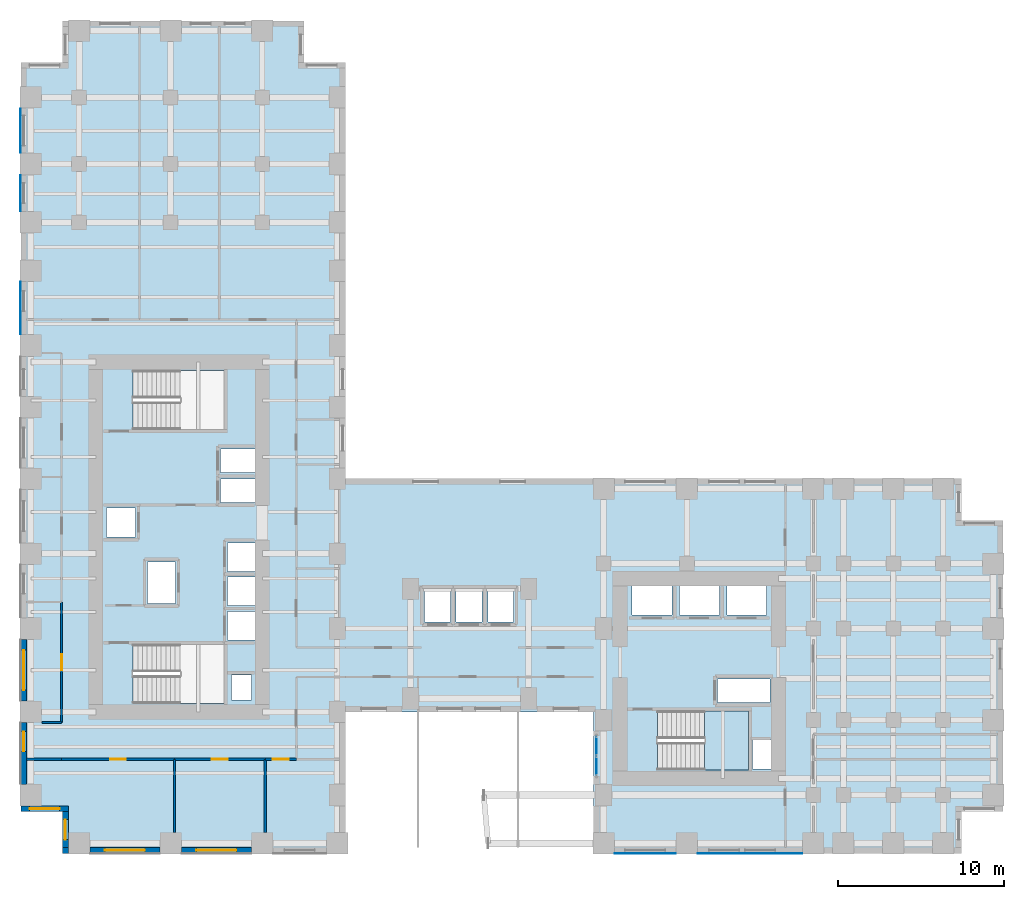
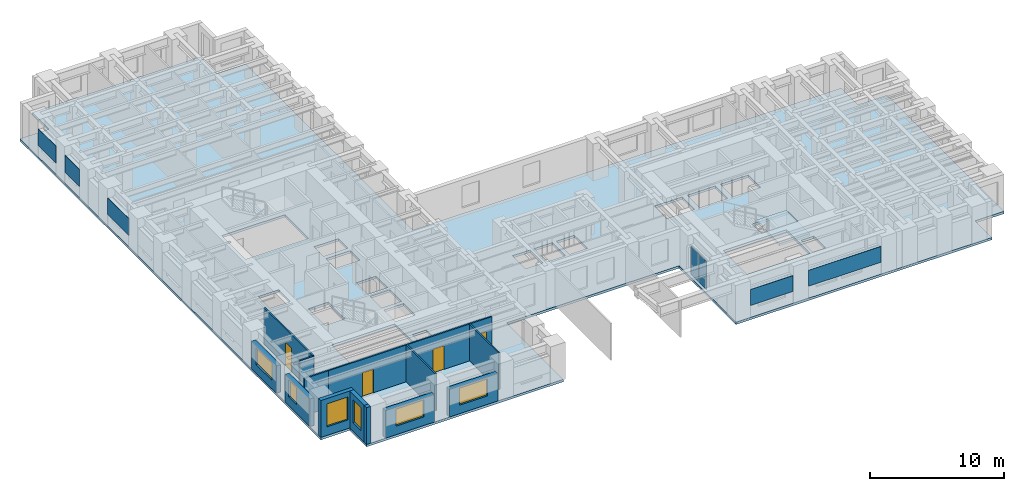
# One storey, part 6 of 14: 15 walls, 7 plates, 6 windows, 4 doors, 2 slabs, 10 openings, 2 elements without a shape of their own.
"""IFC4 building model written with IfcOpenShell, lengths in metres."""

from ifc_helpers import new_model, si_unit, direction, frame, frame_2d, origin, origin_2d, place, context, subcontext, project, spatial, polyline, rectangle, outline, extrude, source, transform, mapped, material, layer, layer_set, type_object, element, fill, aggregate, save


model = new_model("IFC4")

# Units and contexts
model_context = context("Model", 3, precision=1e-05, world=origin(), true_north=direction((0.0, 1.0)))
body_context = subcontext(model_context, "Body", "Model", "MODEL_VIEW")
ifc_project = project(units=[si_unit("LENGTHUNIT", "METRE"), si_unit("AREAUNIT", "SQUARE_METRE"), si_unit("VOLUMEUNIT", "CUBIC_METRE"), si_unit("PLANEANGLEUNIT", "RADIAN"), si_unit("MASSUNIT", "GRAM", prefix="KILO")], contexts=[model_context])

# Site, building, storey
site_placement = place(None, origin())
site = spatial("IfcSite", under=ifc_project, at=site_placement, CompositionType="ELEMENT")
building_placement = place(site_placement, origin())
building = spatial("IfcBuilding", under=site, at=building_placement, Name="Kharzan Plaza Tower", CompositionType="ELEMENT")
storey_placement = place(building_placement, frame((0.0, 0.0, 58.5)))
storey = spatial("IfcBuildingStorey", under=building, at=storey_placement, Name="L15", CompositionType="ELEMENT", Elevation=58.5)

# Slab
ifc_material_1 = material(Name="Concrete C40/50", Category="concrete")
ifc_layer_1 = layer(ifc_material_1, 0.219970703125)
ifc_layer_set_1 = layer_set([ifc_layer_1], Name="Concrete C40/50")
slab_type_1 = type_object("IfcSlabType", Name="SL-FLOOR-220", PredefinedType="FLOOR", material=ifc_layer_set_1)
slab_1_placement = place(storey_placement, frame((0.0, 0.0, -0.219970703125)))
element("IfcSlab", 1, at=slab_1_placement, inside=storey, type_object=slab_type_1, Name="L15 Composite Structural Floor Slab 220 mm", PredefinedType="FLOOR", context=body_context, shape_type="SweptSolid", body=[
    extrude(outline(polyline([(34.39990234375, 22.5), (19.5, 22.5), (19.5, 47.5), (17.0, 47.5), (17.0, 50.0), (2.5, 50.0), (2.5, 47.5), (0.0, 47.5), (0.0, 2.5), (2.5, 2.5), (2.5, 0.0), (19.5, 0.0), (19.5, 8.5), (34.39990234375, 8.5), (34.39990234375, 0.0), (56.5, 0.0), (56.5, 2.5), (59.0, 2.5), (59.0, 20.0), (56.5, 20.0), (56.5, 22.5), (34.39990234375, 22.5)]), holes=[polyline([(13.85009765625, 9.199951171875), (13.85009765625, 10.699951171875), (12.64990234375, 10.699951171875), (12.64990234375, 9.199951171875), (13.85009765625, 9.199951171875)]), polyline([(12.199951171875, 9.0), (12.199951171875, 12.550048828125), (6.75, 12.550048828125), (6.75, 9.0), (12.199951171875, 9.0)]), polyline([(14.10009765625, 12.800048828125), (14.10009765625, 14.530029296875), (12.39990234375, 14.530029296875), (12.39990234375, 12.800048828125), (14.10009765625, 12.800048828125)]), polyline([(14.10009765625, 14.8701171875), (14.10009765625, 16.60009765625), (12.39990234375, 16.60009765625), (12.39990234375, 14.8701171875), (14.10009765625, 14.8701171875)]), polyline([(9.300048828125, 15.0), (9.300048828125, 17.5), (7.60009765625, 17.5), (7.60009765625, 15.0), (9.300048828125, 15.0)]), polyline([(14.10009765625, 16.93994140625), (14.10009765625, 18.64990234375), (12.39990234375, 18.64990234375), (12.39990234375, 16.93994140625), (14.10009765625, 16.93994140625)]), polyline([(6.89990234375, 19.010009765625), (6.89990234375, 20.72998046875), (5.14990234375, 20.72998046875), (5.14990234375, 19.010009765625), (6.89990234375, 19.010009765625)]), polyline([(12.0, 21.070068359375), (14.10009765625, 21.070068359375), (14.10009765625, 22.489990234375), (12.0, 22.489990234375), (12.0, 21.070068359375)]), polyline([(12.0, 22.8701171875), (14.10009765625, 22.8701171875), (14.10009765625, 24.2900390625), (12.0, 24.2900390625), (12.0, 22.8701171875)]), polyline([(12.199951171875, 25.449951171875), (12.199951171875, 29.0), (6.75, 29.0), (6.75, 25.449951171875), (12.199951171875, 25.449951171875)]), polyline([(45.050048828125, 5.050048828125), (45.050048828125, 6.800048828125), (43.949951171875, 6.800048828125), (43.949951171875, 5.050048828125), (45.050048828125, 5.050048828125)]), polyline([(43.699951171875, 5.0), (43.699951171875, 8.550048828125), (38.25, 8.550048828125), (38.25, 5.0), (43.699951171875, 5.0)]), polyline([(41.85009765625, 9.070068359375), (45.0, 9.070068359375), (45.0, 10.469970703125), (41.85009765625, 10.469970703125), (41.85009765625, 9.070068359375)]), polyline([(24.25, 13.89990234375), (25.800048828125, 13.89990234375), (25.800048828125, 15.85009765625), (24.25, 15.85009765625), (24.25, 13.89990234375)]), polyline([(27.699951171875, 13.89990234375), (27.699951171875, 15.85009765625), (26.14990234375, 15.85009765625), (26.14990234375, 13.89990234375), (27.699951171875, 13.89990234375)]), polyline([(29.60009765625, 13.89990234375), (29.60009765625, 15.85009765625), (28.050048828125, 15.85009765625), (28.050048828125, 13.89990234375), (29.60009765625, 13.89990234375)]), polyline([(39.10009765625, 14.300048828125), (39.10009765625, 16.14990234375), (36.699951171875, 16.14990234375), (36.699951171875, 14.300048828125), (39.10009765625, 14.300048828125)]), polyline([(39.550048828125, 14.300048828125), (41.949951171875, 14.300048828125), (41.949951171875, 16.14990234375), (39.550048828125, 16.14990234375), (39.550048828125, 14.300048828125)]), polyline([(42.39990234375, 14.300048828125), (44.800048828125, 14.300048828125), (44.800048828125, 16.14990234375), (42.39990234375, 16.14990234375), (42.39990234375, 14.300048828125)])]), origin(), (0.0, 0.0, 1.0), 0.219970703125),
])

# Stair, slab
stair_type = type_object("IfcStairType", Name="STR-ST-3", PredefinedType="HALF_TURN_STAIR", material=ifc_material_1)
stair_placement = place(storey_placement, origin())
stair = element("IfcStair", 2, at=stair_placement, inside=storey, type_object=stair_type, Name="L15 Protected Exit Stair ST-3", PredefinedType="HALF_TURN_STAIR")
ifc_layer_2 = layer(ifc_material_1, 0.219970703125)
ifc_layer_set_2 = layer_set([ifc_layer_2], Name="Concrete C40/50")
slab_type_2 = type_object("IfcSlabType", Name="SL-LANDING-220", PredefinedType="LANDING", material=ifc_layer_set_2)
slab_2_placement = place(storey_placement, frame((0.0, 0.0, 1.60009765625)))
slab_2 = element("IfcSlab", 3, at=slab_2_placement, type_object=slab_type_2, Name="ST-3 landing 1", PredefinedType="LANDING", context=body_context, shape_type="SweptSolid", body=[
    extrude(outline(polyline([(41.050048828125, 5.0), (43.699951171875, 5.0), (43.699951171875, 8.550048828125), (41.050048828125, 8.550048828125), (41.050048828125, 5.0)])), origin(), (0.0, 0.0, 1.0), 0.199951171875),
])
aggregate(stair, [slab_2])

# Plates
ifc_material_2 = material(Name="Perforated Bronze-Anodized Aluminium", Category="aluminium")
ifc_layer_3 = layer(ifc_material_2, 0.030029296875)
ifc_layer_set_3 = layer_set([ifc_layer_3], Name="Perforated Bronze-Anodized Aluminium")
plate_type_1 = type_object("IfcPlateType", Name="PLT-MASH-SCREEN", PredefinedType="SHEET", material=ifc_layer_set_3)
shared_shape_1 = source(origin(), body_context, "Body", "SweptSolid", [
    extrude(rectangle(XDim=2.6640625, YDim=0.030029296875, at=origin_2d()), origin(), (0.0, 0.0, 1.0), 1.530029296875),
])
plate_1_placement = place(storey_placement, frame((-0.012939453125, 43.39990234375, 1.06494140625), z_axis=(0.0, 0.0, 1.0), x_axis=(0.0, -1.0, 0.0)))
element("IfcPlate", 4, at=plate_1_placement, inside=storey, type_object=plate_type_1, Name="L15 Perforated Mashrabiya Solar Screen", PredefinedType="SHEET", context=body_context, shape_type="MappedRepresentation", body=[
    mapped(shared_shape_1, transform((0.0, 0.0, 0.0), x_axis=(1.0, 0.0, 0.0), y_axis=(0.0, 1.0, 0.0), z_axis=(0.0, 0.0, 1.0))),
])
shared_shape_2 = source(origin(), body_context, "Body", "SweptSolid", [
    extrude(rectangle(XDim=2.1640625, YDim=0.030029296875, at=origin_2d()), origin(), (0.0, 0.0, 1.0), 1.530029296875),
])
plate_2_placement = place(storey_placement, frame((-0.012939453125, 39.64990234375, 1.06494140625), z_axis=(0.0, 0.0, 1.0), x_axis=(0.0, -1.0, 0.0)))
element("IfcPlate", 5, at=plate_2_placement, inside=storey, type_object=plate_type_1, Name="L15 Perforated Mashrabiya Solar Screen", PredefinedType="SHEET", context=body_context, shape_type="MappedRepresentation", body=[
    mapped(shared_shape_2, transform((0.0, 0.0, 0.0), x_axis=(1.0, 0.0, 0.0), y_axis=(0.0, 1.0, 0.0), z_axis=(0.0, 0.0, 1.0))),
])
shared_shape_3 = source(origin(), body_context, "Body", "SweptSolid", [
    extrude(rectangle(XDim=3.1640625, YDim=0.030029296875, at=origin_2d()), origin(), (0.0, 0.0, 1.0), 1.530029296875),
])
plate_3_placement = place(storey_placement, frame((-0.012939453125, 32.75, 1.06494140625), z_axis=(0.0, 0.0, 1.0), x_axis=(0.0, -1.0, 0.0)))
element("IfcPlate", 6, at=plate_3_placement, inside=storey, type_object=plate_type_1, Name="L15 Perforated Mashrabiya Solar Screen", PredefinedType="SHEET", context=body_context, shape_type="MappedRepresentation", body=[
    mapped(shared_shape_3, transform((0.0, 0.0, 0.0), x_axis=(1.0, 0.0, 0.0), y_axis=(0.0, 1.0, 0.0), z_axis=(0.0, 0.0, 1.0))),
])

# Curtain wall, plates
ifc_material_3 = material(Name="Unitised Bronze-Anodized Aluminium and Low-E Glass", Category="aluminium")
ifc_layer_4 = layer(ifc_material_3, 0.199951171875)
ifc_layer_set_4 = layer_set([ifc_layer_4], Name="Unitised Bronze-Anodized Aluminium and Low-E Glass")
curtain_wall_type = type_object("IfcCurtainWallType", Name="CW-SLOT-3", PredefinedType="NOTDEFINED", material=ifc_layer_set_4)
curtain_wall_placement = place(storey_placement, origin())
curtain_wall = element("IfcCurtainWall", 7, at=curtain_wall_placement, inside=storey, type_object=curtain_wall_type, Name="L15 East Slot Recessed Spine Curtain Wall", PredefinedType="NOTDEFINED")
ifc_material_4 = material(Name="Dark Solar-Control Double Glazing", Category="glass")
ifc_layer_5 = layer(ifc_material_4, 0.031982421875)
ifc_layer_set_5 = layer_set([ifc_layer_5], Name="Dark Solar-Control Double Glazing")
plate_type_2 = type_object("IfcPlateType", Name="PLT-CW-GLASS", PredefinedType="CURTAIN_PANEL", material=ifc_layer_set_5)
shared_shape_4 = source(origin(), body_context, "Body", "SweptSolid", [
    extrude(rectangle(XDim=1.080078125, YDim=0.031982421875, at=origin_2d()), origin(), (0.0, 0.0, 1.0), 2.5400390625),
])
plate_4_placement = place(storey_placement, frame((34.580078125, 5.25, 0.080078125), z_axis=(0.0, 0.0, 1.0), x_axis=(0.0, 1.0, 0.0)))
plate_4 = element("IfcPlate", 8, at=plate_4_placement, type_object=plate_type_2, Name="L15 Curtain-Wall Glazed Panel 00", PredefinedType="CURTAIN_PANEL", context=body_context, shape_type="MappedRepresentation", body=[
    mapped(shared_shape_4, transform((0.0, 0.0, 0.0), x_axis=(1.0, 0.0, 0.0), y_axis=(0.0, 1.0, 0.0), z_axis=(0.0, 0.0, 1.0))),
])
plate_5_placement = place(storey_placement, frame((34.580078125, 6.449951171875, 0.080078125), z_axis=(0.0, 0.0, 1.0), x_axis=(0.0, 1.0, 0.0)))
plate_5 = element("IfcPlate", 9, at=plate_5_placement, type_object=plate_type_2, Name="L15 Curtain-Wall Glazed Panel 01", PredefinedType="CURTAIN_PANEL", context=body_context, shape_type="MappedRepresentation", body=[
    mapped(shared_shape_4, transform((0.0, 0.0, 0.0), x_axis=(1.0, 0.0, 0.0), y_axis=(0.0, 1.0, 0.0), z_axis=(0.0, 0.0, 1.0))),
])
aggregate(curtain_wall, [plate_4, plate_5])

# Plates
shared_shape_5 = source(origin(), body_context, "Body", "SweptSolid", [
    extrude(rectangle(XDim=3.6640625, YDim=0.030029296875, at=origin_2d()), origin(), (0.0, 0.0, 1.0), 1.447998046875),
])
plate_6_placement = place(storey_placement, frame((37.5, -0.012939453125, 1.10595703125), z_axis=(0.0, 0.0, 1.0), x_axis=(1.0, 0.0, 0.0)))
element("IfcPlate", 10, at=plate_6_placement, inside=storey, type_object=plate_type_1, Name="L15 Perforated Mashrabiya Solar Screen", PredefinedType="SHEET", context=body_context, shape_type="MappedRepresentation", body=[
    mapped(shared_shape_5, transform((0.0, 0.0, 0.0), x_axis=(1.0, 0.0, 0.0), y_axis=(0.0, 1.0, 0.0), z_axis=(0.0, 0.0, 1.0))),
])
shared_shape_6 = source(origin(), body_context, "Body", "SweptSolid", [
    extrude(rectangle(XDim=6.263916015625, YDim=0.030029296875, at=origin_2d()), origin(), (0.0, 0.0, 1.0), 1.447998046875),
])
plate_7_placement = place(storey_placement, frame((43.800048828125, -0.012939453125, 1.10595703125), z_axis=(0.0, 0.0, 1.0), x_axis=(1.0, 0.0, 0.0)))
element("IfcPlate", 11, at=plate_7_placement, inside=storey, type_object=plate_type_1, Name="L15 Perforated Mashrabiya Solar Screen", PredefinedType="SHEET", context=body_context, shape_type="MappedRepresentation", body=[
    mapped(shared_shape_6, transform((0.0, 0.0, 0.0), x_axis=(1.0, 0.0, 0.0), y_axis=(0.0, 1.0, 0.0), z_axis=(0.0, 0.0, 1.0))),
])

# Wall, opening, window
ifc_layer_6 = layer(ifc_material_1, 0.35009765625)
ifc_layer_set_6 = layer_set([ifc_layer_6], Name="Concrete C40/50")
wall_type_1 = type_object("IfcWallType", Name="WL-EXT-MAS-Z1", PredefinedType="SOLIDWALL", material=ifc_layer_set_6)
wall_1_placement = place(storey_placement, frame((0.175048828125, 12.85205078125, 0.0), z_axis=(0.0, 0.0, 1.0), x_axis=(0.0, -1.0, 0.0)))
wall_1 = element("IfcWall", 12, at=wall_1_placement, inside=storey, type_object=wall_type_1, Name="L15 Masonry-Frame Exterior Wall 18", PredefinedType="SOLIDWALL", context=body_context, shape_type="SweptSolid", body=[
    extrude(rectangle(XDim=3.7041015625, YDim=0.35009765625, at=frame_2d((1.85205078125, 0.0))), origin(), (0.0, 0.0, 1.0), 2.510009765625),
])
opening_1_placement = place(wall_1_placement, frame((0.652099609375, 0.0, 0.780029296875)))
opening_1 = element("IfcOpeningElement", 13, at=opening_1_placement, cuts=wall_1, Name="Opening W2", PredefinedType="OPENING", context=body_context, shape_type="SweptSolid", body=[
    extrude(rectangle(XDim=2.39990234375, YDim=1.550048828125, at=frame_2d((1.199951171875, 0.77490234375))), frame((0.0, 0.18505859375, 0.0), z_axis=(0.0, -1.0, 0.0), x_axis=(1.0, 0.0, 0.0)), (0.0, 0.0, 1.0), 0.3701171875),
])
ifc_material_5 = material(Name="Low-E Double Glazing", Category="glass")
window_type_1 = type_object("IfcWindowType", Name="WN-REC-2400x2100", PartitioningType="SINGLE_PANEL", PredefinedType="WINDOW", material=ifc_material_5)
shared_shape_7 = source(origin(), body_context, "Body", "SweptSolid", [
    extrude(rectangle(XDim=2.39990234375, YDim=1.550048828125, at=frame_2d((1.199951171875, 0.77490234375))), frame((0.0, 0.030029296875, 0.0), z_axis=(0.0, -1.0, 0.0), x_axis=(1.0, 0.0, 0.0)), (0.0, 0.0, 1.0), 0.06005859375),
])
window_1_placement = place(opening_1_placement, origin())
window_1 = element("IfcWindow", 14, at=window_1_placement, inside=storey, type_object=window_type_1, Name="L15 Wide Recessed Solar-Control Window 18-1", OverallHeight=1.550048828125, OverallWidth=2.39990234375, PartitioningType="SINGLE_PANEL", PredefinedType="WINDOW", context=body_context, shape_type="MappedRepresentation", body=[
    mapped(shared_shape_7, transform((0.0, 0.0, 0.0), x_axis=(1.0, 0.0, 0.0), y_axis=(0.0, 1.0, 0.0), z_axis=(0.0, 0.0, 1.0))),
])
fill(opening_1, window_1)

wall_2_placement = place(storey_placement, frame((0.175048828125, 7.85205078125, 0.0), z_axis=(0.0, 0.0, 1.0), x_axis=(0.0, -1.0, 0.0)))
wall_2 = element("IfcWall", 15, at=wall_2_placement, inside=storey, type_object=wall_type_1, Name="L15 Masonry-Frame Exterior Wall 19", PredefinedType="SOLIDWALL", context=body_context, shape_type="SweptSolid", body=[
    extrude(rectangle(XDim=3.7041015625, YDim=0.35009765625, at=frame_2d((1.85205078125, 0.0))), origin(), (0.0, 0.0, 1.0), 2.510009765625),
])
opening_2_placement = place(wall_2_placement, frame((0.535888671875, 0.0, 0.780029296875)))
opening_2 = element("IfcOpeningElement", 16, at=opening_2_placement, cuts=wall_2, Name="Opening W3", PredefinedType="OPENING", context=body_context, shape_type="SweptSolid", body=[
    extrude(rectangle(XDim=1.199951171875, YDim=1.550048828125, at=frame_2d((0.60009765625, 0.77490234375))), frame((0.0, 0.18505859375, 0.0), z_axis=(0.0, -1.0, 0.0), x_axis=(1.0, 0.0, 0.0)), (0.0, 0.0, 1.0), 0.3701171875),
])
window_type_2 = type_object("IfcWindowType", Name="WN-REC-1200x2100", PartitioningType="SINGLE_PANEL", PredefinedType="WINDOW", material=ifc_material_5)
shared_shape_8 = source(origin(), body_context, "Body", "SweptSolid", [
    extrude(rectangle(XDim=1.199951171875, YDim=1.550048828125, at=frame_2d((0.60009765625, 0.77490234375))), frame((0.0, 0.030029296875, 0.0), z_axis=(0.0, -1.0, 0.0), x_axis=(1.0, 0.0, 0.0)), (0.0, 0.0, 1.0), 0.06005859375),
])
window_2_placement = place(opening_2_placement, origin())
window_2 = element("IfcWindow", 17, at=window_2_placement, inside=storey, type_object=window_type_2, Name="L15 Recessed Solar-Control Window 19-1", OverallHeight=1.550048828125, OverallWidth=1.199951171875, PartitioningType="SINGLE_PANEL", PredefinedType="WINDOW", context=body_context, shape_type="MappedRepresentation", body=[
    mapped(shared_shape_8, transform((0.0, 0.0, 0.0), x_axis=(1.0, 0.0, 0.0), y_axis=(0.0, 1.0, 0.0), z_axis=(0.0, 0.0, 1.0))),
])
fill(opening_2, window_2)

wall_3_placement = place(storey_placement, frame((0.0, 2.675048828125, 0.0), z_axis=(0.0, 0.0, 1.0), x_axis=(1.0, 0.0, 0.0)))
wall_3 = element("IfcWall", 18, at=wall_3_placement, inside=storey, type_object=wall_type_1, Name="L15 Masonry-Frame Exterior Wall 20", PredefinedType="SOLIDWALL", context=body_context, shape_type="SweptSolid", body=[
    extrude(rectangle(XDim=2.85009765625, YDim=0.35009765625, at=frame_2d((1.425048828125, 0.0))), origin(), (0.0, 0.0, 1.0), 3.364990234375),
])
opening_3_placement = place(wall_3_placement, frame((0.52490234375, 0.0, 0.780029296875)))
opening_3 = element("IfcOpeningElement", 19, at=opening_3_placement, cuts=wall_3, Name="Opening W1", PredefinedType="OPENING", context=body_context, shape_type="SweptSolid", body=[
    extrude(rectangle(XDim=1.800048828125, YDim=2.10009765625, at=frame_2d((0.89990234375, 1.050048828125))), frame((0.0, 0.18505859375, 0.0), z_axis=(0.0, -1.0, 0.0), x_axis=(1.0, 0.0, 0.0)), (0.0, 0.0, 1.0), 0.3701171875),
])
window_type_3 = type_object("IfcWindowType", Name="WN-REC-1800x2100", PartitioningType="SINGLE_PANEL", PredefinedType="WINDOW", material=ifc_material_5)
shared_shape_9 = source(origin(), body_context, "Body", "SweptSolid", [
    extrude(rectangle(XDim=1.800048828125, YDim=2.10009765625, at=frame_2d((0.89990234375, 1.050048828125))), frame((0.0, 0.030029296875, 0.0), z_axis=(0.0, -1.0, 0.0), x_axis=(1.0, 0.0, 0.0)), (0.0, 0.0, 1.0), 0.06005859375),
])
window_3_placement = place(opening_3_placement, origin())
window_3 = element("IfcWindow", 20, at=window_3_placement, inside=storey, type_object=window_type_3, Name="L15 Recessed Solar-Control Window 20-1", OverallHeight=2.10009765625, OverallWidth=1.800048828125, PartitioningType="SINGLE_PANEL", PredefinedType="WINDOW", context=body_context, shape_type="MappedRepresentation", body=[
    mapped(shared_shape_9, transform((0.0, 0.0, 0.0), x_axis=(1.0, 0.0, 0.0), y_axis=(0.0, 1.0, 0.0), z_axis=(0.0, 0.0, 1.0))),
])
fill(opening_3, window_3)

wall_4_placement = place(storey_placement, frame((2.675048828125, 2.501953125, 0.0), z_axis=(0.0, 0.0, 1.0), x_axis=(0.0, -1.0, 0.0)))
wall_4 = element("IfcWall", 21, at=wall_4_placement, inside=storey, type_object=wall_type_1, Name="L15 Masonry-Frame Exterior Wall 21", PredefinedType="SOLIDWALL", context=body_context, shape_type="SweptSolid", body=[
    extrude(rectangle(XDim=2.154052734375, YDim=0.35009765625, at=frame_2d((1.0771484375, 0.0))), origin(), (0.0, 0.0, 1.0), 3.364990234375),
])
opening_4_placement = place(wall_4_placement, frame((0.47705078125, 0.0, 0.780029296875)))
opening_4 = element("IfcOpeningElement", 22, at=opening_4_placement, cuts=wall_4, Name="Opening W3", PredefinedType="OPENING", context=body_context, shape_type="SweptSolid", body=[
    extrude(rectangle(XDim=1.199951171875, YDim=2.10009765625, at=frame_2d((0.60009765625, 1.050048828125))), frame((0.0, 0.18505859375, 0.0), z_axis=(0.0, -1.0, 0.0), x_axis=(1.0, 0.0, 0.0)), (0.0, 0.0, 1.0), 0.3701171875),
])
shared_shape_10 = source(origin(), body_context, "Body", "SweptSolid", [
    extrude(rectangle(XDim=1.199951171875, YDim=2.10009765625, at=frame_2d((0.60009765625, 1.050048828125))), frame((0.0, 0.030029296875, 0.0), z_axis=(0.0, -1.0, 0.0), x_axis=(1.0, 0.0, 0.0)), (0.0, 0.0, 1.0), 0.06005859375),
])
window_4_placement = place(opening_4_placement, origin())
window_4 = element("IfcWindow", 23, at=window_4_placement, inside=storey, type_object=window_type_2, Name="L15 Recessed Solar-Control Window 21-1", OverallHeight=2.10009765625, OverallWidth=1.199951171875, PartitioningType="SINGLE_PANEL", PredefinedType="WINDOW", context=body_context, shape_type="MappedRepresentation", body=[
    mapped(shared_shape_10, transform((0.0, 0.0, 0.0), x_axis=(1.0, 0.0, 0.0), y_axis=(0.0, 1.0, 0.0), z_axis=(0.0, 0.0, 1.0))),
])
fill(opening_4, window_4)

wall_5_placement = place(storey_placement, frame((4.14794921875, 0.175048828125, 0.0), z_axis=(0.0, 0.0, 1.0), x_axis=(1.0, 0.0, 0.0)))
wall_5 = element("IfcWall", 24, at=wall_5_placement, inside=storey, type_object=wall_type_1, Name="L15 Masonry-Frame Exterior Wall 23", PredefinedType="SOLIDWALL", context=body_context, shape_type="SweptSolid", body=[
    extrude(rectangle(XDim=4.2041015625, YDim=0.35009765625, at=frame_2d((2.10205078125, 0.0))), origin(), (0.0, 0.0, 1.0), 2.510009765625),
])
opening_5_placement = place(wall_5_placement, frame((0.902099609375, 0.0, 0.780029296875)))
opening_5 = element("IfcOpeningElement", 25, at=opening_5_placement, cuts=wall_5, Name="Opening W2", PredefinedType="OPENING", context=body_context, shape_type="SweptSolid", body=[
    extrude(rectangle(XDim=2.39990234375, YDim=1.550048828125, at=frame_2d((1.199951171875, 0.77490234375))), frame((0.0, 0.18505859375, 0.0), z_axis=(0.0, -1.0, 0.0), x_axis=(1.0, 0.0, 0.0)), (0.0, 0.0, 1.0), 0.3701171875),
])
window_5_placement = place(opening_5_placement, origin())
window_5 = element("IfcWindow", 26, at=window_5_placement, inside=storey, type_object=window_type_1, Name="L15 Wide Recessed Solar-Control Window 23-1", OverallHeight=1.550048828125, OverallWidth=2.39990234375, PartitioningType="SINGLE_PANEL", PredefinedType="WINDOW", context=body_context, shape_type="MappedRepresentation", body=[
    mapped(shared_shape_7, transform((0.0, 0.0, 0.0), x_axis=(1.0, 0.0, 0.0), y_axis=(0.0, 1.0, 0.0), z_axis=(0.0, 0.0, 1.0))),
])
fill(opening_5, window_5)

wall_6_placement = place(storey_placement, frame((9.64794921875, 0.175048828125, 0.0), z_axis=(0.0, 0.0, 1.0), x_axis=(1.0, 0.0, 0.0)))
wall_6 = element("IfcWall", 27, at=wall_6_placement, inside=storey, type_object=wall_type_1, Name="L15 Masonry-Frame Exterior Wall 24", PredefinedType="SOLIDWALL", context=body_context, shape_type="SweptSolid", body=[
    extrude(rectangle(XDim=4.2041015625, YDim=0.35009765625, at=frame_2d((2.10205078125, 0.0))), origin(), (0.0, 0.0, 1.0), 2.510009765625),
])
opening_6_placement = place(wall_6_placement, frame((0.902099609375, 0.0, 0.780029296875)))
opening_6 = element("IfcOpeningElement", 28, at=opening_6_placement, cuts=wall_6, Name="Opening W2", PredefinedType="OPENING", context=body_context, shape_type="SweptSolid", body=[
    extrude(rectangle(XDim=2.39990234375, YDim=1.550048828125, at=frame_2d((1.199951171875, 0.77490234375))), frame((0.0, 0.18505859375, 0.0), z_axis=(0.0, -1.0, 0.0), x_axis=(1.0, 0.0, 0.0)), (0.0, 0.0, 1.0), 0.3701171875),
])
window_6_placement = place(opening_6_placement, origin())
window_6 = element("IfcWindow", 29, at=window_6_placement, inside=storey, type_object=window_type_1, Name="L15 Wide Recessed Solar-Control Window 24-1", OverallHeight=1.550048828125, OverallWidth=2.39990234375, PartitioningType="SINGLE_PANEL", PredefinedType="WINDOW", context=body_context, shape_type="MappedRepresentation", body=[
    mapped(shared_shape_7, transform((0.0, 0.0, 0.0), x_axis=(1.0, 0.0, 0.0), y_axis=(0.0, 1.0, 0.0), z_axis=(0.0, 0.0, 1.0))),
])
fill(opening_6, window_6)

# Wall, opening, door
ifc_material_6 = material(Name="Fire-Rated Gypsum Board Partition", Category="gypsum")
ifc_layer_7 = layer(ifc_material_6, 0.125)
ifc_layer_set_7 = layer_set([ifc_layer_7], Name="Fire-Rated Gypsum Board Partition")
wall_type_2 = type_object("IfcWallType", Name="WL-INT-PART-125", PredefinedType="PARTITIONING", material=ifc_layer_set_7)
wall_7_placement = place(storey_placement, frame((2.449951171875, 5.64990234375, 0.0), z_axis=(0.0, 0.0, 1.0), x_axis=(1.0, 0.0, 0.0)))
wall_7 = element("IfcWall", 30, at=wall_7_placement, inside=storey, type_object=wall_type_2, Name="L15 Interior Partition SH-SS-1", PredefinedType="PARTITIONING", context=body_context, shape_type="SweptSolid", body=[
    extrude(rectangle(XDim=6.77001953125, YDim=0.125, at=frame_2d((3.385009765625, 0.0))), origin(), (0.0, 0.0, 1.0), 3.364990234375),
])
opening_7_placement = place(wall_7_placement, frame((2.909912109375, 0.0, 0.0)))
opening_7 = element("IfcOpeningElement", 31, at=opening_7_placement, cuts=wall_7, Name="Opening OD1", PredefinedType="OPENING", context=body_context, shape_type="SweptSolid", body=[
    extrude(rectangle(XDim=0.949951171875, YDim=2.14990234375, at=frame_2d((0.47509765625, 1.074951171875))), frame((0.0, 0.072509765625, 0.0), z_axis=(0.0, -1.0, 0.0), x_axis=(1.0, 0.0, 0.0)), (0.0, 0.0, 1.0), 0.14501953125),
])
ifc_material_7 = material(Name="Acoustic Solid-Core Stained Oak", Category="timber")
door_type = type_object("IfcDoorType", Name="DR-OFF-SINGLE", OperationType="NOTDEFINED", PredefinedType="DOOR", material=ifc_material_7)
shared_shape_11 = source(origin(), body_context, "Body", "SweptSolid", [
    extrude(rectangle(XDim=0.949951171875, YDim=2.14990234375, at=frame_2d((0.47509765625, 1.074951171875))), frame((0.0, 0.02490234375, 0.0), z_axis=(0.0, -1.0, 0.0), x_axis=(1.0, 0.0, 0.0)), (0.0, 0.0, 1.0), 0.050048828125),
])
door_1_placement = place(opening_7_placement, origin())
door_1 = element("IfcDoor", 32, at=door_1_placement, inside=storey, type_object=door_type, Name="L15 Research Engineering Office Door", OperationType="SINGLE_SWING_LEFT", OverallHeight=2.14990234375, OverallWidth=0.949951171875, PredefinedType="DOOR", context=body_context, shape_type="MappedRepresentation", body=[
    mapped(shared_shape_11, transform((0.0, 0.0, 0.0), x_axis=(1.0, 0.0, 0.0), y_axis=(0.0, 1.0, 0.0), z_axis=(0.0, 0.0, 1.0))),
])
fill(opening_7, door_1)

wall_8_placement = place(storey_placement, frame((9.219970703125, 5.64990234375, 0.0), z_axis=(0.0, 0.0, 1.0), x_axis=(1.0, 0.0, 0.0)))
wall_8 = element("IfcWall", 33, at=wall_8_placement, inside=storey, type_object=wall_type_2, Name="L15 Interior Partition SH-SS-2", PredefinedType="PARTITIONING", context=body_context, shape_type="SweptSolid", body=[
    extrude(rectangle(XDim=5.4609375, YDim=0.125, at=frame_2d((2.73046875, 0.0))), origin(), (0.0, 0.0, 1.0), 3.364990234375),
])
opening_8_placement = place(wall_8_placement, frame((2.255615234375, 0.0, 0.0)))
opening_8 = element("IfcOpeningElement", 34, at=opening_8_placement, cuts=wall_8, Name="Opening OD1", PredefinedType="OPENING", context=body_context, shape_type="SweptSolid", body=[
    extrude(rectangle(XDim=0.949951171875, YDim=2.14990234375, at=frame_2d((0.47509765625, 1.074951171875))), frame((0.0, 0.072509765625, 0.0), z_axis=(0.0, -1.0, 0.0), x_axis=(1.0, 0.0, 0.0)), (0.0, 0.0, 1.0), 0.14501953125),
])
door_2_placement = place(opening_8_placement, origin())
door_2 = element("IfcDoor", 35, at=door_2_placement, inside=storey, type_object=door_type, Name="L15 Lab Safety Briefing Room Door", OperationType="SINGLE_SWING_RIGHT", OverallHeight=2.14990234375, OverallWidth=0.949951171875, PredefinedType="DOOR", context=body_context, shape_type="MappedRepresentation", body=[
    mapped(shared_shape_11, transform((0.0, 0.0, 0.0), x_axis=(1.0, 0.0, 0.0), y_axis=(0.0, 1.0, 0.0), z_axis=(0.0, 0.0, 1.0))),
])
fill(opening_8, door_2)

wall_9_placement = place(storey_placement, frame((14.680908203125, 5.64990234375, 0.0), z_axis=(0.0, 0.0, 1.0), x_axis=(1.0, 0.0, 0.0)))
wall_9 = element("IfcWall", 36, at=wall_9_placement, inside=storey, type_object=wall_type_2, Name="L15 Interior Partition SH-SS-3", PredefinedType="PARTITIONING", context=body_context, shape_type="SweptSolid", body=[
    extrude(rectangle(XDim=1.869140625, YDim=0.125, at=frame_2d((0.9345703125, 0.0))), origin(), (0.0, 0.0, 1.0), 3.364990234375),
])
opening_9_placement = place(wall_9_placement, frame((0.45947265625, 0.0, 0.0)))
opening_9 = element("IfcOpeningElement", 37, at=opening_9_placement, cuts=wall_9, Name="Opening OD1", PredefinedType="OPENING", context=body_context, shape_type="SweptSolid", body=[
    extrude(rectangle(XDim=0.949951171875, YDim=2.14990234375, at=frame_2d((0.47509765625, 1.074951171875))), frame((0.0, 0.072509765625, 0.0), z_axis=(0.0, -1.0, 0.0), x_axis=(1.0, 0.0, 0.0)), (0.0, 0.0, 1.0), 0.14501953125),
])
door_3_placement = place(opening_9_placement, origin())
door_3 = element("IfcDoor", 38, at=door_3_placement, inside=storey, type_object=door_type, Name="L15 Data Processing Office Door", OperationType="SINGLE_SWING_LEFT", OverallHeight=2.14990234375, OverallWidth=0.949951171875, PredefinedType="DOOR", context=body_context, shape_type="MappedRepresentation", body=[
    mapped(shared_shape_11, transform((0.0, 0.0, 0.0), x_axis=(1.0, 0.0, 0.0), y_axis=(0.0, 1.0, 0.0), z_axis=(0.0, 0.0, 1.0))),
])
fill(opening_9, door_3)

wall_10_placement = place(storey_placement, frame((2.449951171875, 7.85009765625, 0.0), z_axis=(0.0, 0.0, 1.0), x_axis=(0.0, 1.0, 0.0)))
wall_10 = element("IfcWall", 39, at=wall_10_placement, inside=storey, type_object=wall_type_2, Name="L15 Interior Partition SH-WW-1", PredefinedType="PARTITIONING", context=body_context, shape_type="SweptSolid", body=[
    extrude(rectangle(XDim=7.25, YDim=0.125, at=frame_2d((3.625, 0.0))), origin(), (0.0, 0.0, 1.0), 3.364990234375),
])
opening_10_placement = place(wall_10_placement, frame((3.14990234375, 0.0, 0.0)))
opening_10 = element("IfcOpeningElement", 40, at=opening_10_placement, cuts=wall_10, Name="Opening OD1", PredefinedType="OPENING", context=body_context, shape_type="SweptSolid", body=[
    extrude(rectangle(XDim=0.949951171875, YDim=2.14990234375, at=frame_2d((0.47509765625, 1.074951171875))), frame((0.0, 0.072509765625, 0.0), z_axis=(0.0, -1.0, 0.0), x_axis=(1.0, 0.0, 0.0)), (0.0, 0.0, 1.0), 0.14501953125),
])
door_4_placement = place(opening_10_placement, origin())
door_4 = element("IfcDoor", 41, at=door_4_placement, inside=storey, type_object=door_type, Name="L15 Geological Archive Store Door", OperationType="SINGLE_SWING_RIGHT", OverallHeight=2.14990234375, OverallWidth=0.949951171875, PredefinedType="DOOR", context=body_context, shape_type="MappedRepresentation", body=[
    mapped(shared_shape_11, transform((0.0, 0.0, 0.0), x_axis=(1.0, 0.0, 0.0), y_axis=(0.0, 1.0, 0.0), z_axis=(0.0, 0.0, 1.0))),
])
fill(opening_10, door_4)

# Walls
shared_shape_12 = source(origin(), body_context, "Body", "SweptSolid", [
    extrude(rectangle(XDim=0.35205078125, YDim=0.35009765625, at=frame_2d((0.176025390625, 0.0))), origin(), (0.0, 0.0, 1.0), 3.364990234375),
])
wall_11_placement = place(storey_placement, frame((2.5, 0.175048828125, 0.0), z_axis=(0.0, 0.0, 1.0), x_axis=(1.0, 0.0, 0.0)))
element("IfcWall", 42, at=wall_11_placement, inside=storey, type_object=wall_type_1, Name="L15 Masonry-Frame Exterior Wall 22", PredefinedType="SOLIDWALL", context=body_context, shape_type="MappedRepresentation", body=[
    mapped(shared_shape_12, transform((0.0, 0.0, 0.0), x_axis=(1.0, 0.0, 0.0), y_axis=(0.0, 1.0, 0.0), z_axis=(0.0, 0.0, 1.0))),
])
shared_shape_13 = source(origin(), body_context, "Body", "SweptSolid", [
    extrude(rectangle(XDim=1.18994140625, YDim=0.125, at=frame_2d((0.594970703125, 0.0))), origin(), (0.0, 0.0, 1.0), 3.364990234375),
])
wall_12_placement = place(storey_placement, frame((1.260009765625, 7.85009765625, 0.0), z_axis=(0.0, 0.0, 1.0), x_axis=(1.0, 0.0, 0.0)))
element("IfcWall", 43, at=wall_12_placement, inside=storey, type_object=wall_type_2, Name="L15 Interior Partition SH-RWS0", PredefinedType="PARTITIONING", context=body_context, shape_type="MappedRepresentation", body=[
    mapped(shared_shape_13, transform((0.0, 0.0, 0.0), x_axis=(1.0, 0.0, 0.0), y_axis=(0.0, 1.0, 0.0), z_axis=(0.0, 0.0, 1.0))),
])
shared_shape_14 = source(origin(), body_context, "Body", "SweptSolid", [
    extrude(rectangle(XDim=2.097900390625, YDim=0.125, at=frame_2d((1.048828125, 0.0))), origin(), (0.0, 0.0, 1.0), 3.364990234375),
])
wall_13_placement = place(storey_placement, frame((0.35205078125, 5.64990234375, 0.0), z_axis=(0.0, 0.0, 1.0), x_axis=(1.0, 0.0, 0.0)))
element("IfcWall", 44, at=wall_13_placement, inside=storey, type_object=wall_type_2, Name="L15 Interior Partition SH-SS-EXT", PredefinedType="PARTITIONING", context=body_context, shape_type="MappedRepresentation", body=[
    mapped(shared_shape_14, transform((0.0, 0.0, 0.0), x_axis=(1.0, 0.0, 0.0), y_axis=(0.0, 1.0, 0.0), z_axis=(0.0, 0.0, 1.0))),
])
shared_shape_15 = source(origin(), body_context, "Body", "SweptSolid", [
    extrude(rectangle(XDim=4.389892578125, YDim=0.125, at=frame_2d((2.19482421875, 0.0))), origin(), (0.0, 0.0, 1.0), 3.364990234375),
])
for number, where, z_axis, x_axis, name in (
    (45, (9.219970703125, 1.260009765625, 0.0), (0.0, 0.0, 1.0), (0.0, 1.0, 0.0), "L15 Interior Partition SH-SV-1"),
    (46, (14.680908203125, 1.260009765625, 0.0), (0.0, 0.0, 1.0), (0.0, 1.0, 0.0), "L15 Interior Partition SH-SV-2"),
):
    element("IfcWall", number, at=place(storey_placement, frame(where, z_axis=z_axis, x_axis=x_axis)), inside=storey, type_object=wall_type_2, Name=name, PredefinedType="PARTITIONING", context=body_context, shape_type="MappedRepresentation", body=[
        mapped(shared_shape_15, transform((0.0, 0.0, 0.0), x_axis=(1.0, 0.0, 0.0), y_axis=(0.0, 1.0, 0.0), z_axis=(0.0, 0.0, 1.0))),
    ])

save(model, "model.ifc")
